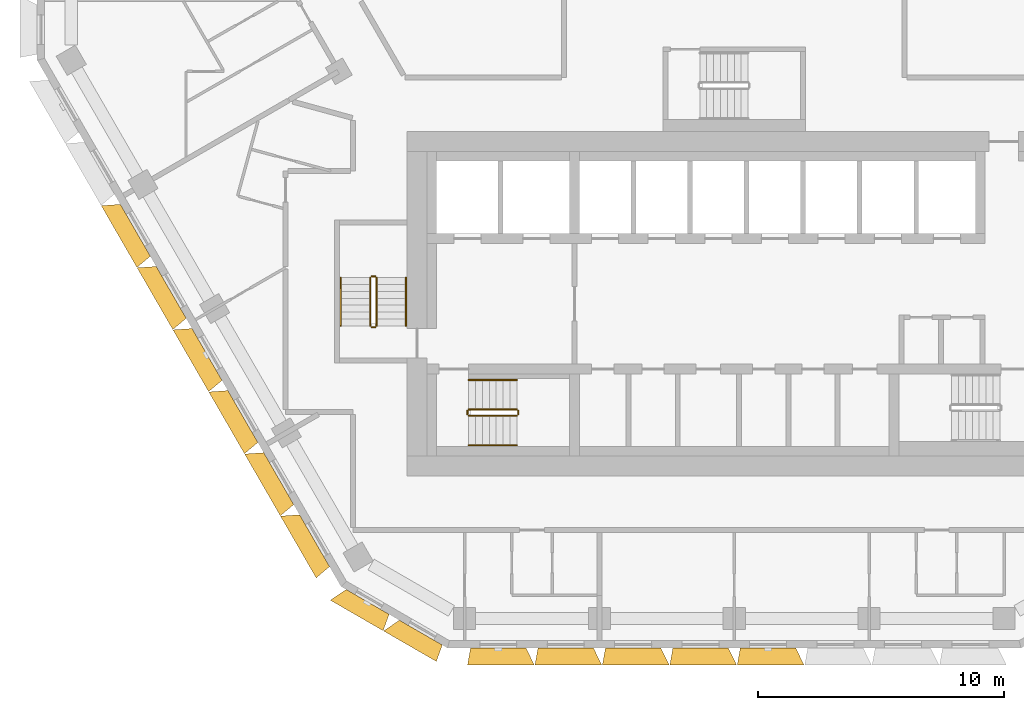
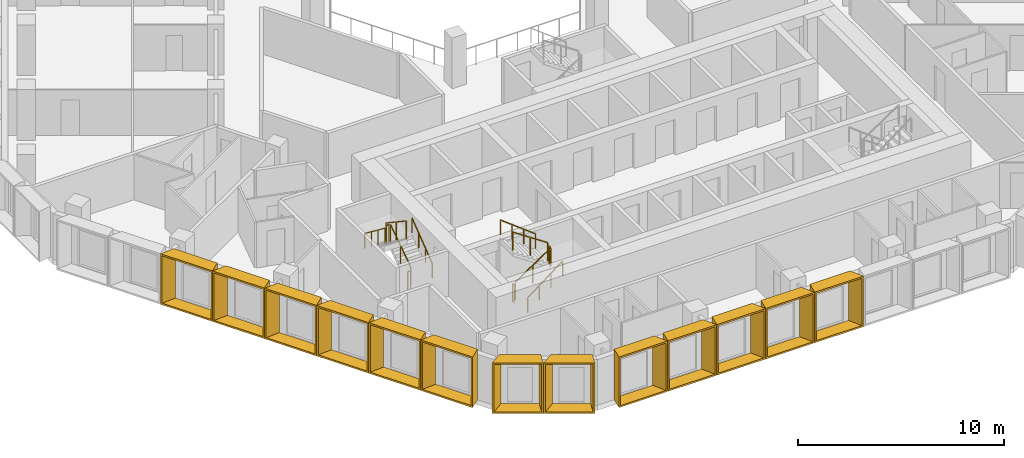
# One storey, part 15 of 18: 13 shading devices, 12 railings.
"""IFC4 building model written with IfcOpenShell, lengths in metres."""

from ifc_helpers import new_model, entity, si_unit, direction, frame, origin, origin_2d, place, context, subcontext, project, spatial, rectangle, extrude, source, transform, mapped, material, type_object, type_shapes, element, save


model = new_model("IFC4")

# Units and contexts
model_context = context("Model", 3, precision=1e-05, world=origin(), true_north=direction((0.0, 1.0)))
body_context = subcontext(model_context, "Body", "Model", "MODEL_VIEW")
ifc_project = project(units=[si_unit("LENGTHUNIT", "METRE"), si_unit("AREAUNIT", "SQUARE_METRE"), si_unit("VOLUMEUNIT", "CUBIC_METRE"), si_unit("PLANEANGLEUNIT", "RADIAN"), si_unit("MASSUNIT", "GRAM", prefix="KILO")], contexts=[model_context])

# Site, building, storey
site_placement = place(None, origin())
site = spatial("IfcSite", under=ifc_project, at=site_placement, CompositionType="ELEMENT")
building_placement = place(site_placement, origin())
building = spatial("IfcBuilding", under=site, at=building_placement, Name="Beryl Residences", CompositionType="ELEMENT")
storey_placement = place(building_placement, frame((0.0, 0.0, 138.60009765625)))
storey = spatial("IfcBuildingStorey", under=building, at=storey_placement, Name="L42", CompositionType="ELEMENT", Elevation=138.60009765625)

# Shading devices
ifc_material_1 = material(Name="Aluminium pale anodised", Category="aluminium")
shading_device_type_1 = type_object("IfcShadingDeviceType", Name="FR250-70B OUTER SKIN frame 700 mm deep, splay 26/10 deg, 2500 x 3000 mm cell", PredefinedType="USERDEFINED", material=ifc_material_1)
cartesian_point_1 = entity("IfcCartesianPoint", [-1.007568359375, 0.0])
cartesian_point_2 = entity("IfcCartesianPoint", [-0.91845703125, 0.10009765625])
cartesian_point_3 = entity("IfcCartesianPoint", [-1.348876953125, 0.0])
cartesian_point_4 = entity("IfcCartesianPoint", [-1.260009765625, 0.10009765625])
shared_shape_1 = source(origin(), body_context, "Body", "SweptSolid", [
    entity("IfcExtrudedAreaSolidTapered", entity("IfcArbitraryProfileDefWithVoids", "AREA", None, entity("IfcPolyline", [cartesian_point_1, entity("IfcCartesianPoint", [1.007568359375, 0.0]), entity("IfcCartesianPoint", [1.007568359375, 3.0]), entity("IfcCartesianPoint", [-1.007568359375, 3.0]), cartesian_point_1]), [entity("IfcPolyline", [cartesian_point_2, entity("IfcCartesianPoint", [0.92626953125, 0.10009765625]), entity("IfcCartesianPoint", [0.92626953125, 2.89990234375]), entity("IfcCartesianPoint", [-0.91845703125, 2.89990234375]), cartesian_point_2])]), entity("IfcAxis2Placement3D", entity("IfcCartesianPoint", [0.0, 0.0, 0.0]), entity("IfcDirection", [0.0, 1.0, 0.0]), entity("IfcDirection", [-1.0, 0.0, 0.0])), entity("IfcDirection", [0.0, 0.0, 1.0]), 0.699951171875, entity("IfcArbitraryProfileDefWithVoids", "AREA", None, entity("IfcPolyline", [cartesian_point_3, entity("IfcCartesianPoint", [1.130859375, 0.0]), entity("IfcCartesianPoint", [1.130859375, 3.0]), entity("IfcCartesianPoint", [-1.348876953125, 3.0]), cartesian_point_3]), [entity("IfcPolyline", [cartesian_point_4, entity("IfcCartesianPoint", [1.0498046875, 0.10009765625]), entity("IfcCartesianPoint", [1.0498046875, 2.89990234375]), entity("IfcCartesianPoint", [-1.260009765625, 2.89990234375]), cartesian_point_4])])),
])
type_shapes(shading_device_type_1, [shared_shape_1])
for number, where, z_axis, x_axis, name in (
    (1, (-14.909912109375, -24.125, 0.0), (0.0, 0.0, 1.0), (-0.866025403784, 0.5, 0.0), "FR250-70B frame L42 SW-S 1"),
    (2, (-12.7451171875, -25.375, 0.0), (0.0, 0.0, 1.0), (-0.866025403784, 0.5, 0.0), "FR250-70B frame L42 SW-S 2"),
):
    element("IfcShadingDevice", number, at=place(storey_placement, frame(where, z_axis=z_axis, x_axis=x_axis)), inside=storey, type_object=shading_device_type_1, Name=name, ObjectType="OUTER SKIN", PredefinedType="USERDEFINED", context=body_context, shape_type="MappedRepresentation", body=[
        mapped(shared_shape_1, transform((0.0, 0.0, 0.0))),
    ])
ifc_material_2 = material(Name="Aluminium pale anodised", Category="aluminium")
shading_device_type_2 = type_object("IfcShadingDeviceType", Name="FR274-70C OUTER SKIN frame 700 mm deep, splay 10/26 deg, 2740 x 3000 mm cell", PredefinedType="USERDEFINED", material=ifc_material_2)
cartesian_point_5 = entity("IfcCartesianPoint", [-1.12744140625, 0.0])
cartesian_point_6 = entity("IfcCartesianPoint", [-1.04638671875, 0.10009765625])
cartesian_point_7 = entity("IfcCartesianPoint", [-1.2509765625, 0.0])
cartesian_point_8 = entity("IfcCartesianPoint", [-1.169677734375, 0.10009765625])
shared_shape_2 = source(origin(), body_context, "Body", "SweptSolid", [
    entity("IfcExtrudedAreaSolidTapered", entity("IfcArbitraryProfileDefWithVoids", "AREA", None, entity("IfcPolyline", [cartesian_point_5, entity("IfcCartesianPoint", [1.12744140625, 0.0]), entity("IfcCartesianPoint", [1.12744140625, 3.0]), entity("IfcCartesianPoint", [-1.12744140625, 3.0]), cartesian_point_5]), [entity("IfcPolyline", [cartesian_point_6, entity("IfcCartesianPoint", [1.03857421875, 0.10009765625]), entity("IfcCartesianPoint", [1.03857421875, 2.89990234375]), entity("IfcCartesianPoint", [-1.04638671875, 2.89990234375]), cartesian_point_6])]), entity("IfcAxis2Placement3D", entity("IfcCartesianPoint", [0.0, 0.0, 0.0]), entity("IfcDirection", [0.0, 1.0, 0.0]), entity("IfcDirection", [-1.0, 0.0, 0.0])), entity("IfcDirection", [0.0, 0.0, 1.0]), 0.699951171875, entity("IfcArbitraryProfileDefWithVoids", "AREA", None, entity("IfcPolyline", [cartesian_point_7, entity("IfcCartesianPoint", [1.468994140625, 0.0]), entity("IfcCartesianPoint", [1.468994140625, 3.0]), entity("IfcCartesianPoint", [-1.2509765625, 3.0]), cartesian_point_7]), [entity("IfcPolyline", [cartesian_point_8, entity("IfcCartesianPoint", [1.3798828125, 0.10009765625]), entity("IfcCartesianPoint", [1.3798828125, 2.89990234375]), entity("IfcCartesianPoint", [-1.169677734375, 2.89990234375]), cartesian_point_8])])),
])
type_shapes(shading_device_type_2, [shared_shape_2])
for number, where, z_axis, x_axis, name in (
    (3, (-9.597900390625, -26.0, 0.0), (0.0, 0.0, 1.0), (-1.0, 0.0, 0.0), "FR274-70C frame L42 S 1"),
    (4, (-6.85498046875, -26.0, 0.0), (0.0, 0.0, 1.0), (-1.0, 0.0, 0.0), "FR274-70C frame L42 S 2"),
    (5, (-4.113037109375, -26.0, 0.0), (0.0, 0.0, 1.0), (-1.0, 0.0, 0.0), "FR274-70C frame L42 S 3"),
    (6, (-1.3701171875, -26.0, 0.0), (0.0, 0.0, 1.0), (-1.0, 0.0, 0.0), "FR274-70C frame L42 S 4"),
    (7, (1.3720703125, -26.0, 0.0), (0.0, 0.0, 1.0), (-1.0, 0.0, 0.0), "FR274-70C frame L42 S 5"),
):
    element("IfcShadingDevice", number, at=place(storey_placement, frame(where, z_axis=z_axis, x_axis=x_axis)), inside=storey, type_object=shading_device_type_2, Name=name, ObjectType="OUTER SKIN", PredefinedType="USERDEFINED", context=body_context, shape_type="MappedRepresentation", body=[
        mapped(shared_shape_2, transform((0.0, 0.0, 0.0))),
    ])
ifc_material_3 = material(Name="Aluminium pale anodised", Category="aluminium")
shading_device_type_3 = type_object("IfcShadingDeviceType", Name="FR292-70B OUTER SKIN frame 700 mm deep, splay 26/10 deg, 2920 x 3000 mm cell", PredefinedType="USERDEFINED", material=ifc_material_3)
cartesian_point_9 = entity("IfcCartesianPoint", [-1.217529296875, 0.0])
cartesian_point_10 = entity("IfcCartesianPoint", [-1.12841796875, 0.10009765625])
cartesian_point_11 = entity("IfcCartesianPoint", [-1.558837890625, 0.0])
cartesian_point_12 = entity("IfcCartesianPoint", [-1.469970703125, 0.10009765625])
shared_shape_3 = source(origin(), body_context, "Body", "SweptSolid", [
    entity("IfcExtrudedAreaSolidTapered", entity("IfcArbitraryProfileDefWithVoids", "AREA", None, entity("IfcPolyline", [cartesian_point_9, entity("IfcCartesianPoint", [1.217529296875, 0.0]), entity("IfcCartesianPoint", [1.217529296875, 3.0]), entity("IfcCartesianPoint", [-1.217529296875, 3.0]), cartesian_point_9]), [entity("IfcPolyline", [cartesian_point_10, entity("IfcCartesianPoint", [1.13623046875, 0.10009765625]), entity("IfcCartesianPoint", [1.13623046875, 2.89990234375]), entity("IfcCartesianPoint", [-1.12841796875, 2.89990234375]), cartesian_point_10])]), entity("IfcAxis2Placement3D", entity("IfcCartesianPoint", [0.0, 0.0, 0.0]), entity("IfcDirection", [0.0, 1.0, 0.0]), entity("IfcDirection", [-1.0, 0.0, 0.0])), entity("IfcDirection", [0.0, 0.0, 1.0]), 0.699951171875, entity("IfcArbitraryProfileDefWithVoids", "AREA", None, entity("IfcPolyline", [cartesian_point_11, entity("IfcCartesianPoint", [1.3408203125, 0.0]), entity("IfcCartesianPoint", [1.3408203125, 3.0]), entity("IfcCartesianPoint", [-1.558837890625, 3.0]), cartesian_point_11]), [entity("IfcPolyline", [cartesian_point_12, entity("IfcCartesianPoint", [1.259765625, 0.10009765625]), entity("IfcCartesianPoint", [1.259765625, 2.89990234375]), entity("IfcCartesianPoint", [-1.469970703125, 2.89990234375]), cartesian_point_12])])),
])
type_shapes(shading_device_type_3, [shared_shape_3])
for number, where, z_axis, x_axis, name in (
    (8, (-24.35693359375, -9.011962890625, 0.0), (0.0, 0.0, 1.0), (-0.5, 0.866025403784, 0.0), "FR292-70B frame L42 SW 3"),
    (9, (-22.89892578125, -11.537109375, 0.0), (0.0, 0.0, 1.0), (-0.5, 0.866025403784, 0.0), "FR292-70B frame L42 SW 4"),
    (10, (-21.44189453125, -14.06201171875, 0.0), (0.0, 0.0, 1.0), (-0.5, 0.866025403784, 0.0), "FR292-70B frame L42 SW 5"),
    (11, (-19.98388671875, -16.5859375, 0.0), (0.0, 0.0, 1.0), (-0.5, 0.866025403784, 0.0), "FR292-70B frame L42 SW 6"),
    (12, (-18.52587890625, -19.111083984375, 0.0), (0.0, 0.0, 1.0), (-0.5, 0.866025403784, 0.0), "FR292-70B frame L42 SW 7"),
    (13, (-17.068115234375, -21.635986328125, 0.0), (0.0, 0.0, 1.0), (-0.5, 0.866025403784, 0.0), "FR292-70B frame L42 SW 8"),
):
    element("IfcShadingDevice", number, at=place(storey_placement, frame(where, z_axis=z_axis, x_axis=x_axis)), inside=storey, type_object=shading_device_type_3, Name=name, ObjectType="OUTER SKIN", PredefinedType="USERDEFINED", context=body_context, shape_type="MappedRepresentation", body=[
        mapped(shared_shape_3, transform((0.0, 0.0, 0.0))),
    ])

# Railings
ifc_material_4 = material(Name="Stainless steel balustrade with glass infill", Category="steel")
railing_type_1 = type_object("IfcRailingType", Name="SG1 stair guard 1100 mm", PredefinedType="GUARDRAIL", material=ifc_material_4)
railing_1_placement = place(storey_placement, frame((-10.800048828125, -16.550048828125, 0.1875)))
element("IfcRailing", 14, at=railing_1_placement, inside=storey, type_object=railing_type_1, Name="L42 ST-1 stair guard 1", PredefinedType="GUARDRAIL", context=body_context, shape_type="SweptSolid", body=[
    extrude(rectangle(XDim=0.048095703125, YDim=0.048095703125, at=origin_2d()), frame((0.0, 0.0, 1.076171875), z_axis=(0.830902050051, 0.0, 0.556418712142), x_axis=(0.0, 1.0, 0.0)), (0.0, 0.0, 1.0), 2.35888671875),
    extrude(rectangle(XDim=0.0419921875, YDim=0.0419921875, at=origin_2d()), origin(), (0.0, 0.0, 1.0), 1.052001953125),
    extrude(rectangle(XDim=0.0419921875, YDim=0.0419921875, at=origin_2d()), frame((0.97998046875, 0.0, 0.65625)), (0.0, 0.0, 1.0), 1.052001953125),
    extrude(rectangle(XDim=0.0419921875, YDim=0.0419921875, at=origin_2d()), frame((1.9599609375, 0.0, 1.3125)), (0.0, 0.0, 1.0), 1.052001953125),
])
railing_2_placement = place(storey_placement, frame((-8.7900390625, -16.5, 1.5)))
element("IfcRailing", 15, at=railing_2_placement, inside=storey, type_object=railing_type_1, Name="L42 ST-1 stair guard 2", PredefinedType="GUARDRAIL", context=body_context, shape_type="SweptSolid", body=[
    extrude(rectangle(XDim=0.048095703125, YDim=0.048095703125, at=origin_2d()), frame((0.0, 0.0, 1.076171875), z_axis=(0.0, 1.0, 0.0), x_axis=(-1.0, 0.0, 0.0)), (0.0, 0.0, 1.0), 0.14990234375),
    extrude(rectangle(XDim=0.0419921875, YDim=0.0419921875, at=origin_2d()), origin(), (0.0, 0.0, 1.0), 1.052001953125),
    extrude(rectangle(XDim=0.0419921875, YDim=0.0419921875, at=origin_2d()), frame((0.0, 0.14990234375, 0.0)), (0.0, 0.0, 1.0), 1.052001953125),
])
railing_3_placement = place(storey_placement, frame((-8.840087890625, -16.300048828125, 1.6875)))
element("IfcRailing", 16, at=railing_3_placement, inside=storey, type_object=railing_type_1, Name="L42 ST-1 stair guard 3", PredefinedType="GUARDRAIL", context=body_context, shape_type="SweptSolid", body=[
    extrude(rectangle(XDim=0.048095703125, YDim=0.048095703125, at=origin_2d()), frame((0.0, 0.0, 1.076171875), z_axis=(-0.830902050051, 0.0, 0.556418712142), x_axis=(0.0, -1.0, 0.0)), (0.0, 0.0, 1.0), 2.35888671875),
    extrude(rectangle(XDim=0.0419921875, YDim=0.0419921875, at=origin_2d()), origin(), (0.0, 0.0, 1.0), 1.052001953125),
    extrude(rectangle(XDim=0.0419921875, YDim=0.0419921875, at=origin_2d()), frame((-0.97998046875, 0.0, 0.65625)), (0.0, 0.0, 1.0), 1.052001953125),
    extrude(rectangle(XDim=0.0419921875, YDim=0.0419921875, at=origin_2d()), frame((-1.9599609375, 0.0, 1.3125)), (0.0, 0.0, 1.0), 1.052001953125),
])
railing_4_placement = place(storey_placement, frame((-10.85009765625, -16.5, 0.0)))
element("IfcRailing", 17, at=railing_4_placement, inside=storey, type_object=railing_type_1, Name="L42 ST-1 stair guard 4", PredefinedType="GUARDRAIL", context=body_context, shape_type="SweptSolid", body=[
    extrude(rectangle(XDim=0.048095703125, YDim=0.048095703125, at=origin_2d()), frame((0.0, 0.0, 1.076171875), z_axis=(0.0, 1.0, 0.0), x_axis=(-1.0, 0.0, 0.0)), (0.0, 0.0, 1.0), 0.14990234375),
    extrude(rectangle(XDim=0.0419921875, YDim=0.0419921875, at=origin_2d()), origin(), (0.0, 0.0, 1.0), 1.052001953125),
    extrude(rectangle(XDim=0.0419921875, YDim=0.0419921875, at=origin_2d()), frame((0.0, 0.14990234375, 0.0)), (0.0, 0.0, 1.0), 1.052001953125),
])
railing_5_placement = place(storey_placement, frame((-14.550048828125, -12.89990234375, 0.1875)))
element("IfcRailing", 18, at=railing_5_placement, inside=storey, type_object=railing_type_1, Name="L42 ST-2 stair guard 1", PredefinedType="GUARDRAIL", context=body_context, shape_type="SweptSolid", body=[
    extrude(rectangle(XDim=0.048095703125, YDim=0.048095703125, at=origin_2d()), frame((0.0, 0.0, 1.076171875), z_axis=(0.0, 0.830902050051, 0.556418712142), x_axis=(-1.0, 0.0, 0.0)), (0.0, 0.0, 1.0), 2.35888671875),
    extrude(rectangle(XDim=0.0419921875, YDim=0.0419921875, at=origin_2d()), origin(), (0.0, 0.0, 1.0), 1.052001953125),
    extrude(rectangle(XDim=0.0419921875, YDim=0.0419921875, at=origin_2d()), frame((0.0, 0.97998046875, 0.65625)), (0.0, 0.0, 1.0), 1.052001953125),
    extrude(rectangle(XDim=0.0419921875, YDim=0.0419921875, at=origin_2d()), frame((0.0, 1.9599609375, 1.3125)), (0.0, 0.0, 1.0), 1.052001953125),
])
railing_6_placement = place(storey_placement, frame((-14.60009765625, -10.889892578125, 1.5)))
element("IfcRailing", 19, at=railing_6_placement, inside=storey, type_object=railing_type_1, Name="L42 ST-2 stair guard 2", PredefinedType="GUARDRAIL", context=body_context, shape_type="SweptSolid", body=[
    extrude(rectangle(XDim=0.048095703125, YDim=0.048095703125, at=origin_2d()), frame((0.0, 0.0, 1.076171875), z_axis=(-1.0, 0.0, 0.0), x_axis=(0.0, -1.0, 0.0)), (0.0, 0.0, 1.0), 0.14990234375),
    extrude(rectangle(XDim=0.0419921875, YDim=0.0419921875, at=origin_2d()), origin(), (0.0, 0.0, 1.0), 1.052001953125),
    extrude(rectangle(XDim=0.0419921875, YDim=0.0419921875, at=origin_2d()), frame((-0.14990234375, 0.0, 0.0)), (0.0, 0.0, 1.0), 1.052001953125),
])
railing_7_placement = place(storey_placement, frame((-14.800048828125, -10.93994140625, 1.6875)))
element("IfcRailing", 20, at=railing_7_placement, inside=storey, type_object=railing_type_1, Name="L42 ST-2 stair guard 3", PredefinedType="GUARDRAIL", context=body_context, shape_type="SweptSolid", body=[
    extrude(rectangle(XDim=0.048095703125, YDim=0.048095703125, at=origin_2d()), frame((0.0, 0.0, 1.076171875), z_axis=(0.0, -0.830902050051, 0.556418712142), x_axis=(1.0, 0.0, 0.0)), (0.0, 0.0, 1.0), 2.35888671875),
    extrude(rectangle(XDim=0.0419921875, YDim=0.0419921875, at=origin_2d()), origin(), (0.0, 0.0, 1.0), 1.052001953125),
    extrude(rectangle(XDim=0.0419921875, YDim=0.0419921875, at=origin_2d()), frame((0.0, -0.97998046875, 0.65625)), (0.0, 0.0, 1.0), 1.052001953125),
    extrude(rectangle(XDim=0.0419921875, YDim=0.0419921875, at=origin_2d()), frame((0.0, -1.9599609375, 1.3125)), (0.0, 0.0, 1.0), 1.052001953125),
])
railing_8_placement = place(storey_placement, frame((-14.60009765625, -12.949951171875, 0.0)))
element("IfcRailing", 21, at=railing_8_placement, inside=storey, type_object=railing_type_1, Name="L42 ST-2 stair guard 4", PredefinedType="GUARDRAIL", context=body_context, shape_type="SweptSolid", body=[
    extrude(rectangle(XDim=0.048095703125, YDim=0.048095703125, at=origin_2d()), frame((0.0, 0.0, 1.076171875), z_axis=(-1.0, 0.0, 0.0), x_axis=(0.0, -1.0, 0.0)), (0.0, 0.0, 1.0), 0.14990234375),
    extrude(rectangle(XDim=0.0419921875, YDim=0.0419921875, at=origin_2d()), origin(), (0.0, 0.0, 1.0), 1.052001953125),
    extrude(rectangle(XDim=0.0419921875, YDim=0.0419921875, at=origin_2d()), frame((-0.14990234375, 0.0, 0.0)), (0.0, 0.0, 1.0), 1.052001953125),
])
ifc_material_5 = material(Name="Stainless steel handrail", Category="steel")
railing_type_2 = type_object("IfcRailingType", Name="SRL1 stair handrail 900 mm", PredefinedType="HANDRAIL", material=ifc_material_5)
railing_9_placement = place(storey_placement, frame((-10.800048828125, -17.75, 0.1875)))
element("IfcRailing", 22, at=railing_9_placement, inside=storey, type_object=railing_type_2, Name="L42 ST-1 stair handrail 1", PredefinedType="HANDRAIL", context=body_context, shape_type="SweptSolid", body=[
    extrude(rectangle(XDim=0.048095703125, YDim=0.048095703125, at=origin_2d()), frame((0.0, 0.0, 0.8759765625), z_axis=(0.794121922505, 0.0, 0.607758481798), x_axis=(0.0, 1.0, 0.0)), (0.0, 0.0, 1.0), 2.468017578125),
    extrude(rectangle(XDim=0.0419921875, YDim=0.0419921875, at=origin_2d()), origin(), (0.0, 0.0, 1.0), 0.851806640625),
    extrude(rectangle(XDim=0.0419921875, YDim=0.0419921875, at=origin_2d()), frame((0.6533203125, 0.0, 0.5)), (0.0, 0.0, 1.0), 0.851806640625),
    extrude(rectangle(XDim=0.0419921875, YDim=0.0419921875, at=origin_2d()), frame((1.306640625, 0.0, 1.0)), (0.0, 0.0, 1.0), 0.851806640625),
    extrude(rectangle(XDim=0.0419921875, YDim=0.0419921875, at=origin_2d()), frame((1.9599609375, 0.0, 1.5)), (0.0, 0.0, 1.0), 0.851806640625),
])
railing_10_placement = place(storey_placement, frame((-8.840087890625, -15.10009765625, 1.6875)))
element("IfcRailing", 23, at=railing_10_placement, inside=storey, type_object=railing_type_2, Name="L42 ST-1 stair handrail 2", PredefinedType="HANDRAIL", context=body_context, shape_type="SweptSolid", body=[
    extrude(rectangle(XDim=0.048095703125, YDim=0.048095703125, at=origin_2d()), frame((0.0, 0.0, 0.8759765625), z_axis=(-0.794121922505, 0.0, 0.607758481798), x_axis=(0.0, -1.0, 0.0)), (0.0, 0.0, 1.0), 2.468017578125),
    extrude(rectangle(XDim=0.0419921875, YDim=0.0419921875, at=origin_2d()), origin(), (0.0, 0.0, 1.0), 0.851806640625),
    extrude(rectangle(XDim=0.0419921875, YDim=0.0419921875, at=origin_2d()), frame((-0.6533203125, 0.0, 0.5)), (0.0, 0.0, 1.0), 0.851806640625),
    extrude(rectangle(XDim=0.0419921875, YDim=0.0419921875, at=origin_2d()), frame((-1.306640625, 0.0, 1.0)), (0.0, 0.0, 1.0), 0.851806640625),
    extrude(rectangle(XDim=0.0419921875, YDim=0.0419921875, at=origin_2d()), frame((-1.9599609375, 0.0, 1.5)), (0.0, 0.0, 1.0), 0.851806640625),
])
railing_11_placement = place(storey_placement, frame((-13.35009765625, -12.89990234375, 0.1875)))
element("IfcRailing", 24, at=railing_11_placement, inside=storey, type_object=railing_type_2, Name="L42 ST-2 stair handrail 1", PredefinedType="HANDRAIL", context=body_context, shape_type="SweptSolid", body=[
    extrude(rectangle(XDim=0.048095703125, YDim=0.048095703125, at=origin_2d()), frame((0.0, 0.0, 0.8759765625), z_axis=(0.0, 0.794121922505, 0.607758481798), x_axis=(-1.0, 0.0, 0.0)), (0.0, 0.0, 1.0), 2.468017578125),
    extrude(rectangle(XDim=0.0419921875, YDim=0.0419921875, at=origin_2d()), origin(), (0.0, 0.0, 1.0), 0.851806640625),
    extrude(rectangle(XDim=0.0419921875, YDim=0.0419921875, at=origin_2d()), frame((0.0, 0.6533203125, 0.5)), (0.0, 0.0, 1.0), 0.851806640625),
    extrude(rectangle(XDim=0.0419921875, YDim=0.0419921875, at=origin_2d()), frame((0.0, 1.306640625, 1.0)), (0.0, 0.0, 1.0), 0.851806640625),
    extrude(rectangle(XDim=0.0419921875, YDim=0.0419921875, at=origin_2d()), frame((0.0, 1.9599609375, 1.5)), (0.0, 0.0, 1.0), 0.851806640625),
])
railing_12_placement = place(storey_placement, frame((-16.0, -10.93994140625, 1.6875)))
element("IfcRailing", 25, at=railing_12_placement, inside=storey, type_object=railing_type_2, Name="L42 ST-2 stair handrail 2", PredefinedType="HANDRAIL", context=body_context, shape_type="SweptSolid", body=[
    extrude(rectangle(XDim=0.048095703125, YDim=0.048095703125, at=origin_2d()), frame((0.0, 0.0, 0.8759765625), z_axis=(0.0, -0.794121922505, 0.607758481798), x_axis=(1.0, 0.0, 0.0)), (0.0, 0.0, 1.0), 2.468017578125),
    extrude(rectangle(XDim=0.0419921875, YDim=0.0419921875, at=origin_2d()), origin(), (0.0, 0.0, 1.0), 0.851806640625),
    extrude(rectangle(XDim=0.0419921875, YDim=0.0419921875, at=origin_2d()), frame((0.0, -0.6533203125, 0.5)), (0.0, 0.0, 1.0), 0.851806640625),
    extrude(rectangle(XDim=0.0419921875, YDim=0.0419921875, at=origin_2d()), frame((0.0, -1.306640625, 1.0)), (0.0, 0.0, 1.0), 0.851806640625),
    extrude(rectangle(XDim=0.0419921875, YDim=0.0419921875, at=origin_2d()), frame((0.0, -1.9599609375, 1.5)), (0.0, 0.0, 1.0), 0.851806640625),
])

save(model, "model.ifc")
